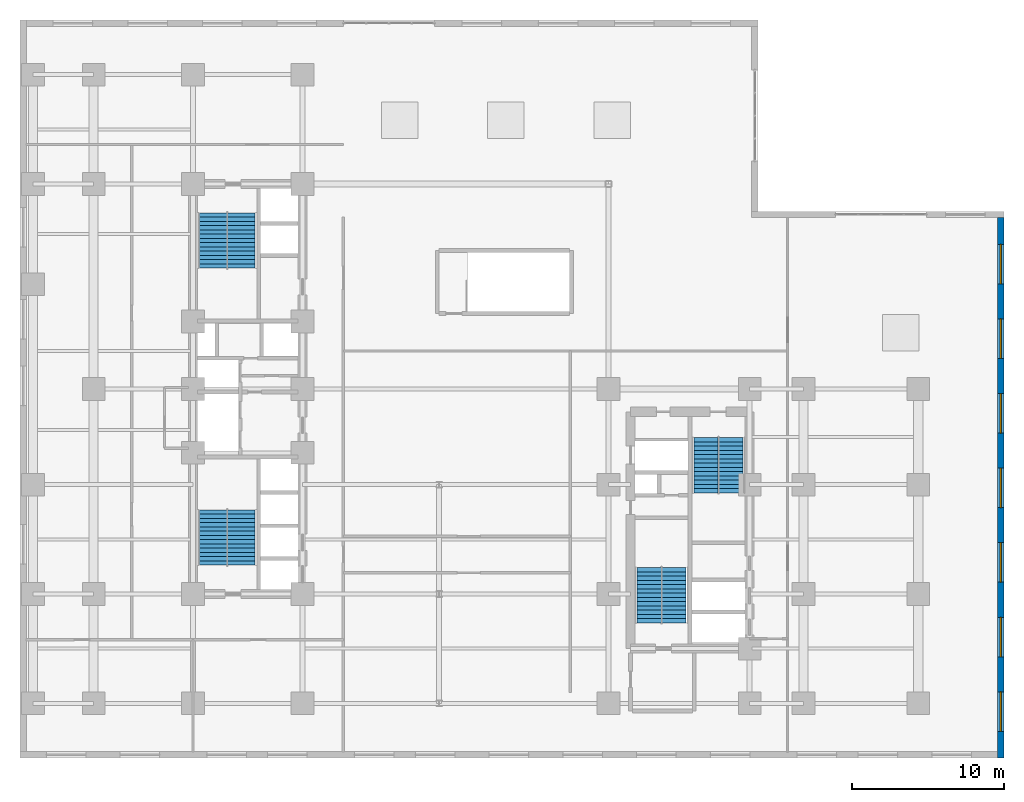
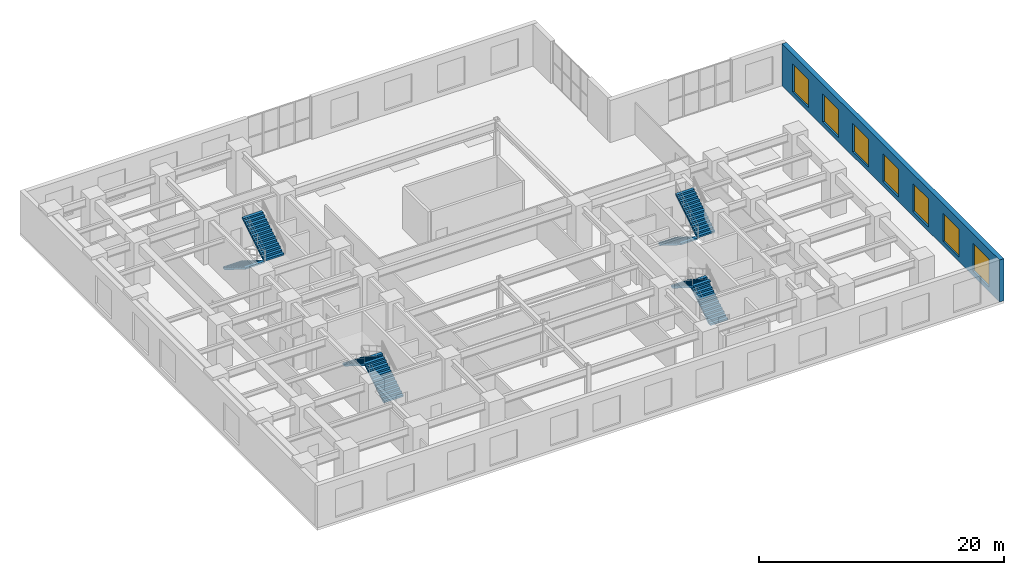
# One storey, part 11 of 14: 8 stair flights, 7 windows, 1 wall, 7 openings, 4 elements without a shape of their own.
"""IFC4 building model written with IfcOpenShell, lengths in metres."""

from ifc_helpers import new_model, entity, si_unit, converted_unit, direction, frame, origin_with_axes, origin_2d_with_axis, place, context, subcontext, project, spatial, polyline, rectangle, outline, extrude, material, layer, layer_set, type_object, element, fill, aggregate, save


model = new_model("IFC4")

# Units and contexts
model_context = context("Model", 3, precision=1e-05, world=origin_with_axes(), true_north=direction((0.0, 1.0)))
body_context = subcontext(model_context, "Body", "Model", "MODEL_VIEW")
ifc_project = project(units=[si_unit("LENGTHUNIT", "METRE"), si_unit("AREAUNIT", "SQUARE_METRE"), si_unit("VOLUMEUNIT", "CUBIC_METRE"), converted_unit("PLANEANGLEUNIT", "DEGREE", entity("IfcPlaneAngleMeasure", 0.017453292519943295), si_unit("PLANEANGLEUNIT", "RADIAN"), dimensions=[0, 0, 0, 0, 0, 0, 0]), si_unit("MASSUNIT", "GRAM", prefix="KILO"), si_unit("THERMODYNAMICTEMPERATUREUNIT", "KELVIN")], contexts=[model_context])

# Site, building, storey
site_placement = place(None, origin_with_axes())
site = spatial("IfcSite", under=ifc_project, at=site_placement, CompositionType="ELEMENT")
building_placement = place(site_placement, origin_with_axes())
building = spatial("IfcBuilding", under=site, at=building_placement, Name="Varnlund Millrace Tower", CompositionType="ELEMENT")
storey_placement = place(building_placement, frame((0.0, 0.0, 24.3), z_axis=(0.0, 0.0, 1.0), x_axis=(1.0, 0.0, 0.0)))
storey = spatial("IfcBuildingStorey", under=building, at=storey_placement, Name="L05", CompositionType="ELEMENT", Elevation=24.3)

# Wall, openings, windows
ifc_material_1 = material(Name="Precast concrete C50/60", Category="concrete")
ifc_layer = layer(ifc_material_1, 0.42, Name="Precast concrete C50/60")
ifc_layer_set = layer_set([ifc_layer], Name="Precast concrete C50/60")
wall_type = type_object("IfcWallType", Name="Type-ExtWall-Precast-Pier-420", PredefinedType="SOLIDWALL", material=ifc_layer_set)
wall_placement = place(storey_placement, frame((64.59, 35.58, 0.0), z_axis=(0.0, 0.0, 1.0), x_axis=(0.0, -1.0, 0.0)))
wall = element("IfcWall", 1, at=wall_placement, inside=storey, type_object=wall_type, Name="Type-ExtWall-Precast-Pier-420", PredefinedType="SOLIDWALL", context=body_context, shape_type="SweptSolid", body=[
    extrude(outline(polyline([(0.0, -0.21), (35.58, -0.21), (35.58, 0.21), (0.0, 0.21), (0.0, -0.21)])), origin_with_axes(), (0.0, 0.0, 1.0), 4.2),
])
opening_1_placement = place(wall_placement, frame((3.056, 0.0, 0.45), z_axis=(0.0, 0.0, 1.0), x_axis=(1.0, 0.0, 0.0)))
opening_1 = element("IfcOpeningElement", 2, at=opening_1_placement, cuts=wall, Name="Opening L05:WN-27", PredefinedType="OPENING", context=body_context, shape_type="SweptSolid", body=[
    extrude(rectangle(XDim=2.6, YDim=0.44, at=origin_2d_with_axis()), origin_with_axes(), (0.0, 0.0, 1.0), 2.8),
])
opening_2_placement = place(wall_placement, frame((7.967, 0.0, 0.45), z_axis=(0.0, 0.0, 1.0), x_axis=(1.0, 0.0, 0.0)))
opening_2 = element("IfcOpeningElement", 3, at=opening_2_placement, cuts=wall, Name="Opening L05:WN-28", PredefinedType="OPENING", context=body_context, shape_type="SweptSolid", body=[
    extrude(rectangle(XDim=2.6, YDim=0.44, at=origin_2d_with_axis()), origin_with_axes(), (0.0, 0.0, 1.0), 2.8),
])
opening_3_placement = place(wall_placement, frame((12.879, 0.0, 0.45), z_axis=(0.0, 0.0, 1.0), x_axis=(1.0, 0.0, 0.0)))
opening_3 = element("IfcOpeningElement", 4, at=opening_3_placement, cuts=wall, Name="Opening L05:WN-29", PredefinedType="OPENING", context=body_context, shape_type="SweptSolid", body=[
    extrude(rectangle(XDim=2.6, YDim=0.44, at=origin_2d_with_axis()), origin_with_axes(), (0.0, 0.0, 1.0), 2.8),
])
opening_4_placement = place(wall_placement, frame((17.79, 0.0, 0.45), z_axis=(0.0, 0.0, 1.0), x_axis=(1.0, 0.0, 0.0)))
opening_4 = element("IfcOpeningElement", 5, at=opening_4_placement, cuts=wall, Name="Opening L05:WN-30", PredefinedType="OPENING", context=body_context, shape_type="SweptSolid", body=[
    extrude(rectangle(XDim=2.6, YDim=0.44, at=origin_2d_with_axis()), origin_with_axes(), (0.0, 0.0, 1.0), 2.8),
])
opening_5_placement = place(wall_placement, frame((22.701, 0.0, 0.45), z_axis=(0.0, 0.0, 1.0), x_axis=(1.0, 0.0, 0.0)))
opening_5 = element("IfcOpeningElement", 6, at=opening_5_placement, cuts=wall, Name="Opening L05:WN-31", PredefinedType="OPENING", context=body_context, shape_type="SweptSolid", body=[
    extrude(rectangle(XDim=2.6, YDim=0.44, at=origin_2d_with_axis()), origin_with_axes(), (0.0, 0.0, 1.0), 2.8),
])
opening_6_placement = place(wall_placement, frame((27.613, 0.0, 0.45), z_axis=(0.0, 0.0, 1.0), x_axis=(1.0, 0.0, 0.0)))
opening_6 = element("IfcOpeningElement", 7, at=opening_6_placement, cuts=wall, Name="Opening L05:WN-32", PredefinedType="OPENING", context=body_context, shape_type="SweptSolid", body=[
    extrude(rectangle(XDim=2.6, YDim=0.44, at=origin_2d_with_axis()), origin_with_axes(), (0.0, 0.0, 1.0), 2.8),
])
opening_7_placement = place(wall_placement, frame((32.524, 0.0, 0.45), z_axis=(0.0, 0.0, 1.0), x_axis=(1.0, 0.0, 0.0)))
opening_7 = element("IfcOpeningElement", 8, at=opening_7_placement, cuts=wall, Name="Opening L05:WN-33", PredefinedType="OPENING", context=body_context, shape_type="SweptSolid", body=[
    extrude(rectangle(XDim=2.6, YDim=0.44, at=origin_2d_with_axis()), origin_with_axes(), (0.0, 0.0, 1.0), 2.8),
])
ifc_material_2 = material(Name="Argon low-e triple glazing in thermally broken bronze frame", Category="glass")
window_type = type_object("IfcWindowType", Name="Type-Window-Podium-2600X2800", PartitioningType="SINGLE_PANEL", PredefinedType="WINDOW", material=ifc_material_2)
window_1_placement = place(wall_placement, frame((3.056, 0.0, 0.45), z_axis=(0.0, 0.0, 1.0), x_axis=(1.0, 0.0, 0.0)))
window_1 = element("IfcWindow", 9, at=window_1_placement, inside=storey, type_object=window_type, Name="Type-Window-Podium-2600X2800", OverallHeight=2.8, OverallWidth=2.6, PredefinedType="WINDOW", context=body_context, shape_type="SweptSolid", body=[
    extrude(rectangle(XDim=2.6, YDim=0.09, at=origin_2d_with_axis()), origin_with_axes(), (0.0, 0.0, 1.0), 2.8),
])
fill(opening_1, window_1)
window_2_placement = place(wall_placement, frame((7.967, 0.0, 0.45), z_axis=(0.0, 0.0, 1.0), x_axis=(1.0, 0.0, 0.0)))
window_2 = element("IfcWindow", 10, at=window_2_placement, inside=storey, type_object=window_type, Name="Type-Window-Podium-2600X2800", OverallHeight=2.8, OverallWidth=2.6, PredefinedType="WINDOW", context=body_context, shape_type="SweptSolid", body=[
    extrude(rectangle(XDim=2.6, YDim=0.09, at=origin_2d_with_axis()), origin_with_axes(), (0.0, 0.0, 1.0), 2.8),
])
fill(opening_2, window_2)
window_3_placement = place(wall_placement, frame((12.879, 0.0, 0.45), z_axis=(0.0, 0.0, 1.0), x_axis=(1.0, 0.0, 0.0)))
window_3 = element("IfcWindow", 11, at=window_3_placement, inside=storey, type_object=window_type, Name="Type-Window-Podium-2600X2800", OverallHeight=2.8, OverallWidth=2.6, PredefinedType="WINDOW", context=body_context, shape_type="SweptSolid", body=[
    extrude(rectangle(XDim=2.6, YDim=0.09, at=origin_2d_with_axis()), origin_with_axes(), (0.0, 0.0, 1.0), 2.8),
])
fill(opening_3, window_3)
window_4_placement = place(wall_placement, frame((17.79, 0.0, 0.45), z_axis=(0.0, 0.0, 1.0), x_axis=(1.0, 0.0, 0.0)))
window_4 = element("IfcWindow", 12, at=window_4_placement, inside=storey, type_object=window_type, Name="Type-Window-Podium-2600X2800", OverallHeight=2.8, OverallWidth=2.6, PredefinedType="WINDOW", context=body_context, shape_type="SweptSolid", body=[
    extrude(rectangle(XDim=2.6, YDim=0.09, at=origin_2d_with_axis()), origin_with_axes(), (0.0, 0.0, 1.0), 2.8),
])
fill(opening_4, window_4)
window_5_placement = place(wall_placement, frame((22.701, 0.0, 0.45), z_axis=(0.0, 0.0, 1.0), x_axis=(1.0, 0.0, 0.0)))
window_5 = element("IfcWindow", 13, at=window_5_placement, inside=storey, type_object=window_type, Name="Type-Window-Podium-2600X2800", OverallHeight=2.8, OverallWidth=2.6, PredefinedType="WINDOW", context=body_context, shape_type="SweptSolid", body=[
    extrude(rectangle(XDim=2.6, YDim=0.09, at=origin_2d_with_axis()), origin_with_axes(), (0.0, 0.0, 1.0), 2.8),
])
fill(opening_5, window_5)
window_6_placement = place(wall_placement, frame((27.613, 0.0, 0.45), z_axis=(0.0, 0.0, 1.0), x_axis=(1.0, 0.0, 0.0)))
window_6 = element("IfcWindow", 14, at=window_6_placement, inside=storey, type_object=window_type, Name="Type-Window-Podium-2600X2800", OverallHeight=2.8, OverallWidth=2.6, PredefinedType="WINDOW", context=body_context, shape_type="SweptSolid", body=[
    extrude(rectangle(XDim=2.6, YDim=0.09, at=origin_2d_with_axis()), origin_with_axes(), (0.0, 0.0, 1.0), 2.8),
])
fill(opening_6, window_6)
window_7_placement = place(wall_placement, frame((32.524, 0.0, 0.45), z_axis=(0.0, 0.0, 1.0), x_axis=(1.0, 0.0, 0.0)))
window_7 = element("IfcWindow", 15, at=window_7_placement, inside=storey, type_object=window_type, Name="Type-Window-Podium-2600X2800", OverallHeight=2.8, OverallWidth=2.6, PredefinedType="WINDOW", context=body_context, shape_type="SweptSolid", body=[
    extrude(rectangle(XDim=2.6, YDim=0.09, at=origin_2d_with_axis()), origin_with_axes(), (0.0, 0.0, 1.0), 2.8),
])
fill(opening_7, window_7)

# Stair, stair flights
ifc_material_3 = material(Name="Concrete C50/60", Category="concrete")
stair_type_1 = type_object("IfcStairType", Name="Type-Stair-Dogleg-165-450", PredefinedType="HALF_TURN_STAIR", material=ifc_material_3)
stair_1_placement = place(storey_placement, origin_with_axes())
stair_1 = element("IfcStair", 16, at=stair_1_placement, inside=storey, type_object=stair_type_1, Name="Type-Stair-Dogleg-165-450", PredefinedType="HALF_TURN_STAIR")
stair_flight_type_1 = type_object("IfcStairFlightType", Name="Type-Dogleg-Run-165-450", PredefinedType="STRAIGHT", material=ifc_material_1)
stair_flight_1_placement = place(storey_placement, frame((42.225, 8.9, 0.0), z_axis=(1.0, 0.0, 0.0), x_axis=(0.0, 1.0, 0.0)))
stair_flight_1 = element("IfcStairFlight", 17, at=stair_flight_1_placement, type_object=stair_flight_type_1, Name="ST-B1 flight 1", NumberOfRisers=13, NumberOfTreads=13, PredefinedType="STRAIGHT", RiserHeight=0.173077, TreadLength=0.28, context=body_context, shape_type="SweptSolid", body=[
    extrude(outline(polyline([(0.0, 0.0), (0.0, 0.173077), (0.28, 0.173077), (0.28, 0.346154), (0.56, 0.346154), (0.56, 0.519231), (0.84, 0.519231), (0.84, 0.692308), (1.12, 0.692308), (1.12, 0.865384), (1.4, 0.865384), (1.4, 1.038461), (1.68, 1.038461), (1.68, 1.211538), (1.96, 1.211538), (1.96, 1.384615), (2.24, 1.384615), (2.24, 1.557692), (2.52, 1.557692), (2.52, 1.730769), (2.8, 1.730769), (2.8, 1.903846), (3.08, 1.903846), (3.08, 2.076923), (3.36, 2.076923), (3.36, 2.25), (3.64, 2.25), (3.64, 2.1), (0.28, 0.0), (0.0, 0.0)])), origin_with_axes(), (0.0, 0.0, 1.0), 1.65),
])
stair_flight_2_placement = place(storey_placement, frame((42.275, 12.54, 2.25), z_axis=(-1.0, 0.0, 0.0), x_axis=(0.0, -1.0, 0.0)))
stair_flight_2 = element("IfcStairFlight", 18, at=stair_flight_2_placement, type_object=stair_flight_type_1, Name="ST-B1 flight 2", NumberOfRisers=13, NumberOfTreads=13, PredefinedType="STRAIGHT", RiserHeight=0.173077, TreadLength=0.28, context=body_context, shape_type="SweptSolid", body=[
    extrude(outline(polyline([(0.0, 0.0), (0.0, 0.173077), (0.28, 0.173077), (0.28, 0.346154), (0.56, 0.346154), (0.56, 0.519231), (0.84, 0.519231), (0.84, 0.692308), (1.12, 0.692308), (1.12, 0.865384), (1.4, 0.865384), (1.4, 1.038461), (1.68, 1.038461), (1.68, 1.211538), (1.96, 1.211538), (1.96, 1.384615), (2.24, 1.384615), (2.24, 1.557692), (2.52, 1.557692), (2.52, 1.730769), (2.8, 1.730769), (2.8, 1.903846), (3.08, 1.903846), (3.08, 2.076923), (3.36, 2.076923), (3.36, 2.25), (3.64, 2.25), (3.64, 2.1), (0.28, 0.0), (0.0, 0.0)])), origin_with_axes(), (0.0, 0.0, 1.0), 1.65),
])
aggregate(stair_1, [stair_flight_1, stair_flight_2])

stair_2_placement = place(storey_placement, origin_with_axes())
stair_2 = element("IfcStair", 19, at=stair_2_placement, inside=storey, type_object=stair_type_1, Name="Type-Stair-Dogleg-165-450", PredefinedType="HALF_TURN_STAIR")
stair_flight_3_placement = place(storey_placement, frame((46.025, 21.1, 0.0), z_axis=(-1.0, 0.0, 0.0), x_axis=(0.0, -1.0, 0.0)))
stair_flight_3 = element("IfcStairFlight", 20, at=stair_flight_3_placement, type_object=stair_flight_type_1, Name="ST-B2 flight 1", NumberOfRisers=13, NumberOfTreads=13, PredefinedType="STRAIGHT", RiserHeight=0.173077, TreadLength=0.28, context=body_context, shape_type="SweptSolid", body=[
    extrude(outline(polyline([(0.0, 0.0), (0.0, 0.173077), (0.28, 0.173077), (0.28, 0.346154), (0.56, 0.346154), (0.56, 0.519231), (0.84, 0.519231), (0.84, 0.692308), (1.12, 0.692308), (1.12, 0.865384), (1.4, 0.865384), (1.4, 1.038461), (1.68, 1.038461), (1.68, 1.211538), (1.96, 1.211538), (1.96, 1.384615), (2.24, 1.384615), (2.24, 1.557692), (2.52, 1.557692), (2.52, 1.730769), (2.8, 1.730769), (2.8, 1.903846), (3.08, 1.903846), (3.08, 2.076923), (3.36, 2.076923), (3.36, 2.25), (3.64, 2.25), (3.64, 2.1), (0.28, 0.0), (0.0, 0.0)])), origin_with_axes(), (0.0, 0.0, 1.0), 1.65),
])
stair_flight_4_placement = place(storey_placement, frame((45.975, 17.46, 2.25), z_axis=(1.0, 0.0, 0.0), x_axis=(0.0, 1.0, 0.0)))
stair_flight_4 = element("IfcStairFlight", 21, at=stair_flight_4_placement, type_object=stair_flight_type_1, Name="ST-B2 flight 2", NumberOfRisers=13, NumberOfTreads=13, PredefinedType="STRAIGHT", RiserHeight=0.173077, TreadLength=0.28, context=body_context, shape_type="SweptSolid", body=[
    extrude(outline(polyline([(0.0, 0.0), (0.0, 0.173077), (0.28, 0.173077), (0.28, 0.346154), (0.56, 0.346154), (0.56, 0.519231), (0.84, 0.519231), (0.84, 0.692308), (1.12, 0.692308), (1.12, 0.865384), (1.4, 0.865384), (1.4, 1.038461), (1.68, 1.038461), (1.68, 1.211538), (1.96, 1.211538), (1.96, 1.384615), (2.24, 1.384615), (2.24, 1.557692), (2.52, 1.557692), (2.52, 1.730769), (2.8, 1.730769), (2.8, 1.903846), (3.08, 1.903846), (3.08, 2.076923), (3.36, 2.076923), (3.36, 2.25), (3.64, 2.25), (3.64, 2.1), (0.28, 0.0), (0.0, 0.0)])), origin_with_axes(), (0.0, 0.0, 1.0), 1.65),
])
aggregate(stair_2, [stair_flight_3, stair_flight_4])

stair_type_2 = type_object("IfcStairType", Name="Type-Stair-Dogleg-185-450", PredefinedType="HALF_TURN_STAIR", material=ifc_material_3)
stair_3_placement = place(storey_placement, origin_with_axes())
stair_3 = element("IfcStair", 22, at=stair_3_placement, inside=storey, type_object=stair_type_2, Name="Type-Stair-Dogleg-185-450", PredefinedType="HALF_TURN_STAIR")
stair_flight_type_2 = type_object("IfcStairFlightType", Name="Type-Dogleg-Run-185-450", PredefinedType="STRAIGHT", material=ifc_material_1)
stair_flight_5_placement = place(storey_placement, frame((13.625, 12.7, 0.0), z_axis=(1.0, 0.0, 0.0), x_axis=(0.0, 1.0, 0.0)))
stair_flight_5 = element("IfcStairFlight", 23, at=stair_flight_5_placement, type_object=stair_flight_type_2, Name="ST-A1 flight 1", NumberOfRisers=13, NumberOfTreads=13, PredefinedType="STRAIGHT", RiserHeight=0.173077, TreadLength=0.28, context=body_context, shape_type="SweptSolid", body=[
    extrude(outline(polyline([(0.0, 0.0), (0.0, 0.173077), (0.28, 0.173077), (0.28, 0.346154), (0.56, 0.346154), (0.56, 0.519231), (0.84, 0.519231), (0.84, 0.692308), (1.12, 0.692308), (1.12, 0.865384), (1.4, 0.865384), (1.4, 1.038461), (1.68, 1.038461), (1.68, 1.211538), (1.96, 1.211538), (1.96, 1.384615), (2.24, 1.384615), (2.24, 1.557692), (2.52, 1.557692), (2.52, 1.730769), (2.8, 1.730769), (2.8, 1.903846), (3.08, 1.903846), (3.08, 2.076923), (3.36, 2.076923), (3.36, 2.25), (3.64, 2.25), (3.64, 2.1), (0.28, 0.0), (0.0, 0.0)])), origin_with_axes(), (0.0, 0.0, 1.0), 1.85),
])
stair_flight_6_placement = place(storey_placement, frame((13.675, 16.34, 2.25), z_axis=(-1.0, 0.0, 0.0), x_axis=(0.0, -1.0, 0.0)))
stair_flight_6 = element("IfcStairFlight", 24, at=stair_flight_6_placement, type_object=stair_flight_type_2, Name="ST-A1 flight 2", NumberOfRisers=13, NumberOfTreads=13, PredefinedType="STRAIGHT", RiserHeight=0.173077, TreadLength=0.28, context=body_context, shape_type="SweptSolid", body=[
    extrude(outline(polyline([(0.0, 0.0), (0.0, 0.173077), (0.28, 0.173077), (0.28, 0.346154), (0.56, 0.346154), (0.56, 0.519231), (0.84, 0.519231), (0.84, 0.692308), (1.12, 0.692308), (1.12, 0.865384), (1.4, 0.865384), (1.4, 1.038461), (1.68, 1.038461), (1.68, 1.211538), (1.96, 1.211538), (1.96, 1.384615), (2.24, 1.384615), (2.24, 1.557692), (2.52, 1.557692), (2.52, 1.730769), (2.8, 1.730769), (2.8, 1.903846), (3.08, 1.903846), (3.08, 2.076923), (3.36, 2.076923), (3.36, 2.25), (3.64, 2.25), (3.64, 2.1), (0.28, 0.0), (0.0, 0.0)])), origin_with_axes(), (0.0, 0.0, 1.0), 1.85),
])
aggregate(stair_3, [stair_flight_5, stair_flight_6])

stair_4_placement = place(storey_placement, origin_with_axes())
stair_4 = element("IfcStair", 25, at=stair_4_placement, inside=storey, type_object=stair_type_2, Name="Type-Stair-Dogleg-185-450", PredefinedType="HALF_TURN_STAIR")
stair_flight_7_placement = place(storey_placement, frame((13.675, 35.9, 0.0), z_axis=(-1.0, 0.0, 0.0), x_axis=(0.0, -1.0, 0.0)))
stair_flight_7 = element("IfcStairFlight", 26, at=stair_flight_7_placement, type_object=stair_flight_type_2, Name="ST-A2 flight 1", NumberOfRisers=13, NumberOfTreads=13, PredefinedType="STRAIGHT", RiserHeight=0.173077, TreadLength=0.28, context=body_context, shape_type="SweptSolid", body=[
    extrude(outline(polyline([(0.0, 0.0), (0.0, 0.173077), (0.28, 0.173077), (0.28, 0.346154), (0.56, 0.346154), (0.56, 0.519231), (0.84, 0.519231), (0.84, 0.692308), (1.12, 0.692308), (1.12, 0.865384), (1.4, 0.865384), (1.4, 1.038461), (1.68, 1.038461), (1.68, 1.211538), (1.96, 1.211538), (1.96, 1.384615), (2.24, 1.384615), (2.24, 1.557692), (2.52, 1.557692), (2.52, 1.730769), (2.8, 1.730769), (2.8, 1.903846), (3.08, 1.903846), (3.08, 2.076923), (3.36, 2.076923), (3.36, 2.25), (3.64, 2.25), (3.64, 2.1), (0.28, 0.0), (0.0, 0.0)])), origin_with_axes(), (0.0, 0.0, 1.0), 1.85),
])
stair_flight_8_placement = place(storey_placement, frame((13.625, 32.26, 2.25), z_axis=(1.0, 0.0, 0.0), x_axis=(0.0, 1.0, 0.0)))
stair_flight_8 = element("IfcStairFlight", 27, at=stair_flight_8_placement, type_object=stair_flight_type_2, Name="ST-A2 flight 2", NumberOfRisers=13, NumberOfTreads=13, PredefinedType="STRAIGHT", RiserHeight=0.173077, TreadLength=0.28, context=body_context, shape_type="SweptSolid", body=[
    extrude(outline(polyline([(0.0, 0.0), (0.0, 0.173077), (0.28, 0.173077), (0.28, 0.346154), (0.56, 0.346154), (0.56, 0.519231), (0.84, 0.519231), (0.84, 0.692308), (1.12, 0.692308), (1.12, 0.865384), (1.4, 0.865384), (1.4, 1.038461), (1.68, 1.038461), (1.68, 1.211538), (1.96, 1.211538), (1.96, 1.384615), (2.24, 1.384615), (2.24, 1.557692), (2.52, 1.557692), (2.52, 1.730769), (2.8, 1.730769), (2.8, 1.903846), (3.08, 1.903846), (3.08, 2.076923), (3.36, 2.076923), (3.36, 2.25), (3.64, 2.25), (3.64, 2.1), (0.28, 0.0), (0.0, 0.0)])), origin_with_axes(), (0.0, 0.0, 1.0), 1.85),
])
aggregate(stair_4, [stair_flight_7, stair_flight_8])

save(model, "model.ifc")
